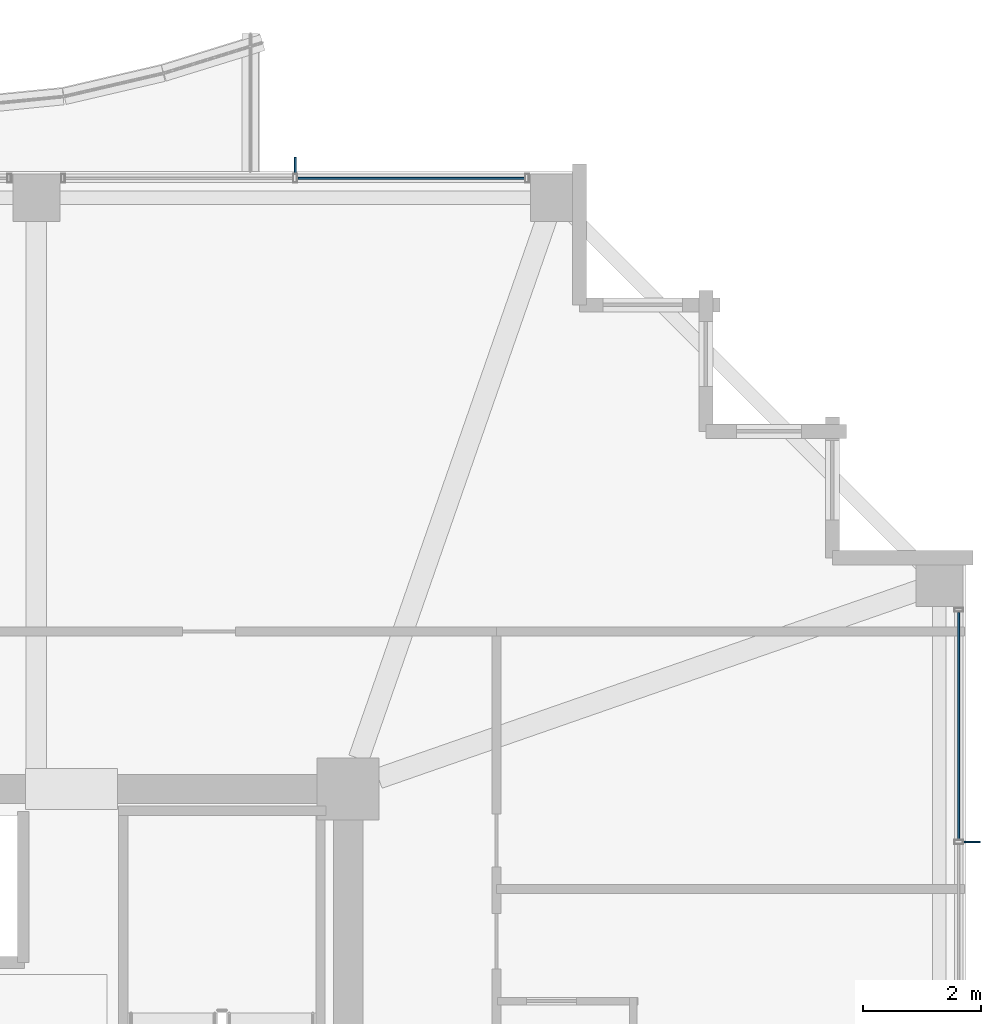
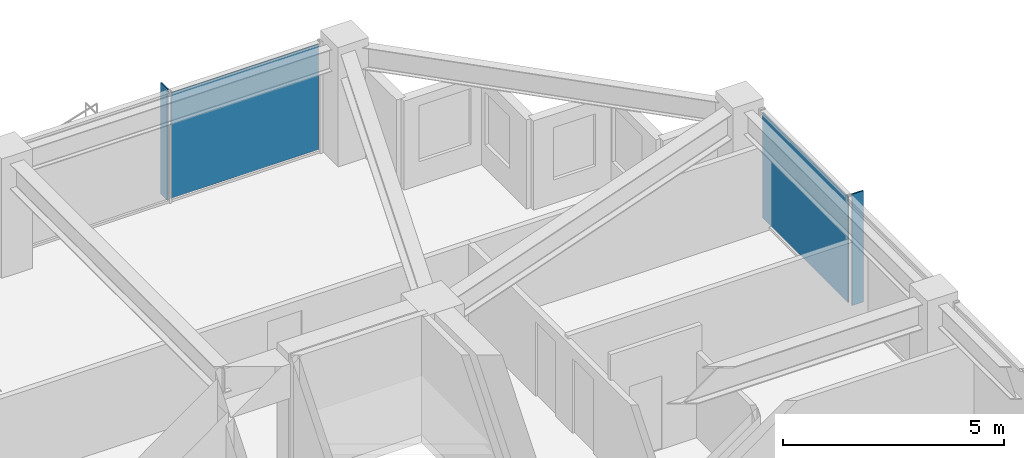
# One storey, part 29 of 36: 4 plates, 2 elements without a shape of their own.
"""IFC4 building model written with IfcOpenShell, lengths in metres."""

from ifc_helpers import new_model, si_unit, direction, frame, origin, origin_2d, place, context, subcontext, project, spatial, rectangle, extrude, material, layer, layer_set, type_object, element, aggregate, save


model = new_model("IFC4")

# Units and contexts
model_context = context("Model", 3, precision=1e-05, world=origin(), true_north=direction((0.0, 1.0)))
body_context = subcontext(model_context, "Body", "Model", "MODEL_VIEW")
ifc_project = project(units=[si_unit("LENGTHUNIT", "METRE"), si_unit("AREAUNIT", "SQUARE_METRE"), si_unit("VOLUMEUNIT", "CUBIC_METRE"), si_unit("PLANEANGLEUNIT", "RADIAN"), si_unit("MASSUNIT", "GRAM", prefix="KILO")], contexts=[model_context])

# Site, building, storey
site_placement = place(None, origin())
site = spatial("IfcSite", under=ifc_project, at=site_placement, CompositionType="ELEMENT")
building_placement = place(site_placement, origin())
building = spatial("IfcBuilding", under=site, at=building_placement, Name="Kolvaren Belvedere", CompositionType="ELEMENT")
storey_placement = place(building_placement, frame((0.0, 0.0, 196.5)))
storey = spatial("IfcBuildingStorey", under=building, at=storey_placement, Name="L57", CompositionType="ELEMENT", Elevation=196.5)

# Curtain wall, plate
ifc_material_1 = material(Name="Anodised pale-metal aluminium AA 6063-T6", Category="aluminium")
curtain_wall_type = type_object("IfcCurtainWallType", Name="CW-Z5-HIGH", PredefinedType="NOTDEFINED", material=ifc_material_1)
curtain_wall_1_placement = place(storey_placement, origin())
curtain_wall_1 = element("IfcCurtainWall", 1, at=curtain_wall_1_placement, inside=storey, type_object=curtain_wall_type, Name="L57 Unitised Curtain Wall FCW-L57-E-B1", PredefinedType="NOTDEFINED")
ifc_material_2 = material(Name="Low-iron triple insulated glass", Category="glass")
ifc_layer_1 = layer(ifc_material_2, 0.028076171875)
ifc_layer_set_1 = layer_set([ifc_layer_1], Name="Low-iron triple insulated glass")
plate_type_1 = type_object("IfcPlateType", Name="CW-PNL-VIS28", PredefinedType="CURTAIN_PANEL", material=ifc_layer_set_1)
plate_1_placement = place(storey_placement, frame((20.280029296875, 10.972412109375, 0.080078125), z_axis=(0.0, 0.0, 1.0), x_axis=(0.0, -1.0, 0.0)))
plate_1 = element("IfcPlate", 2, at=plate_1_placement, type_object=plate_type_1, Name="FCW-L57-E-B1 Vision Glazing Panel 1", PredefinedType="CURTAIN_PANEL", context=body_context, shape_type="SweptSolid", body=[
    extrude(rectangle(XDim=3.864990234375, YDim=0.028076171875, at=origin_2d()), origin(), (0.0, 0.0, 1.0), 2.919921875),
])
aggregate(curtain_wall_1, [plate_1])

curtain_wall_2_placement = place(storey_placement, origin())
curtain_wall_2 = element("IfcCurtainWall", 3, at=curtain_wall_2_placement, inside=storey, type_object=curtain_wall_type, Name="L57 Unitised Curtain Wall FCW-L57-N2-B2", PredefinedType="NOTDEFINED")
plate_2_placement = place(storey_placement, frame((10.972412109375, 20.280029296875, 0.080078125), z_axis=(0.0, 0.0, 1.0), x_axis=(1.0, 0.0, 0.0)))
plate_2 = element("IfcPlate", 4, at=plate_2_placement, type_object=plate_type_1, Name="FCW-L57-N2-B2 Vision Glazing Panel 2", PredefinedType="CURTAIN_PANEL", context=body_context, shape_type="SweptSolid", body=[
    extrude(rectangle(XDim=3.864990234375, YDim=0.028076171875, at=origin_2d()), origin(), (0.0, 0.0, 1.0), 2.919921875),
])
aggregate(curtain_wall_2, [plate_2])

# Plates
ifc_material_3 = material(Name="Anodised pale-metal aluminium AA 6063-T6", Category="aluminium")
ifc_layer_2 = layer(ifc_material_3, 0.030029296875)
ifc_layer_set_2 = layer_set([ifc_layer_2], Name="Anodised pale-metal aluminium AA 6063-T6")
plate_type_2 = type_object("IfcPlateType", Name="FIN-VERT-300", PredefinedType="USERDEFINED", material=ifc_layer_set_2)
for number, where, z_axis, x_axis, name in (
    (5, (20.489990234375, 9.0, 0.0), (0.0, 0.0, 1.0), (1.0, 0.0, 0.0), "L57 Pale-Metal Vertical Shading Fin FCW-L57-E-B1-1"),
    (6, (9.0, 20.489990234375, 0.0), (0.0, 0.0, 1.0), (0.0, 1.0, 0.0), "L57 Pale-Metal Vertical Shading Fin FCW-L57-N2-B2-1"),
):
    element("IfcPlate", number, at=place(storey_placement, frame(where, z_axis=z_axis, x_axis=x_axis)), inside=storey, type_object=plate_type_2, Name=name, ObjectType="VERTICAL FIN", PredefinedType="USERDEFINED", context=body_context, shape_type="SweptSolid", body=[
        extrude(rectangle(XDim=0.300048828125, YDim=0.030029296875, at=origin_2d()), origin(), (0.0, 0.0, 1.0), 3.080078125),
    ])

save(model, "model.ifc")
